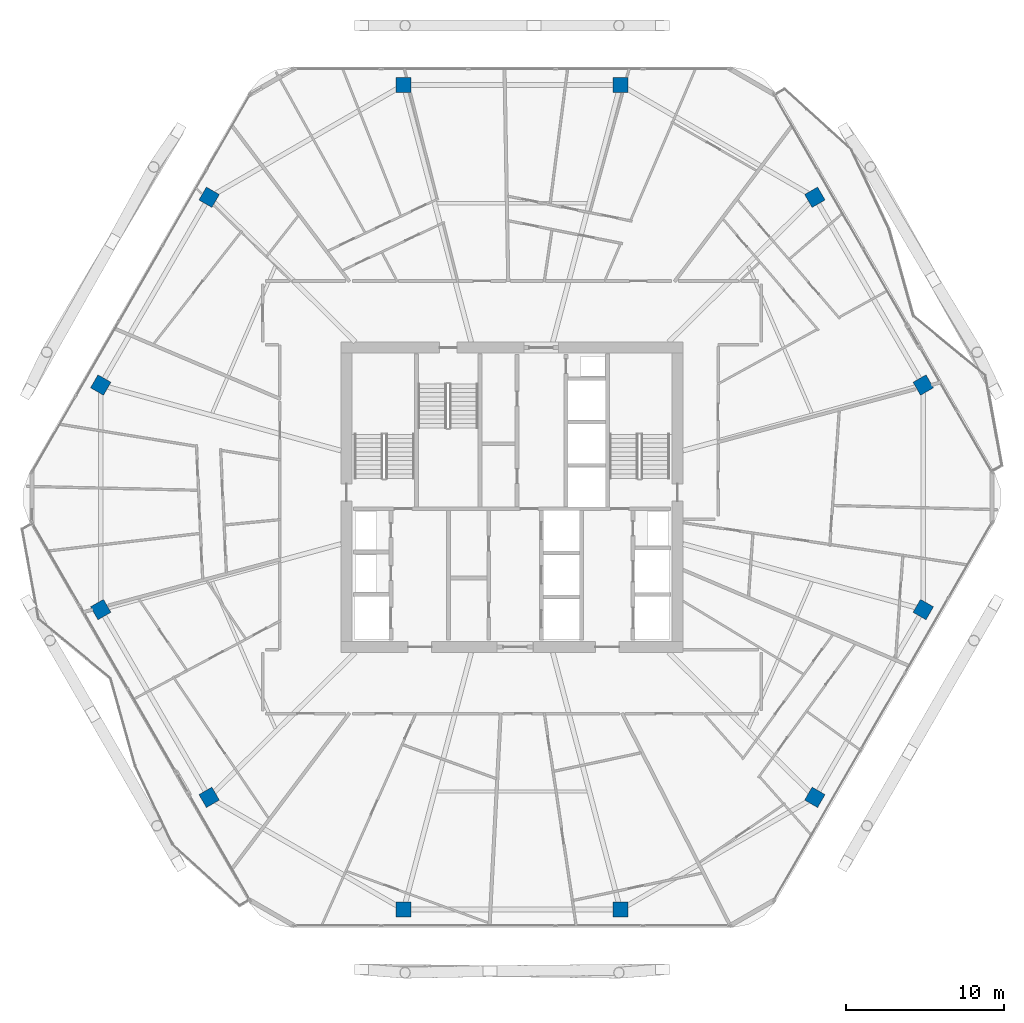
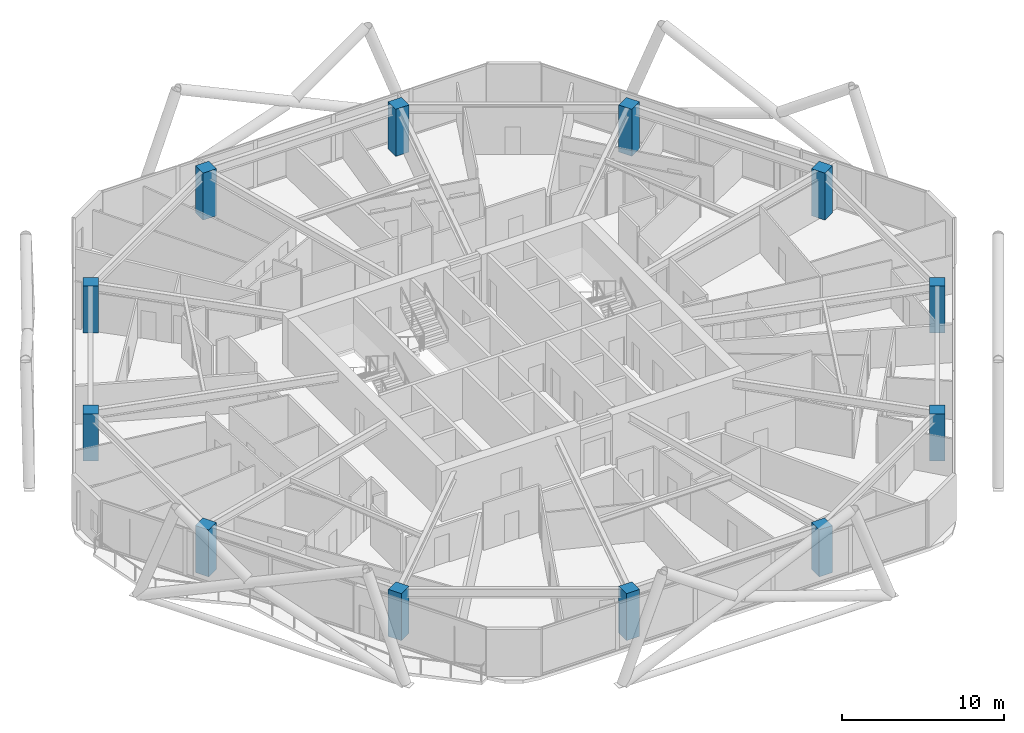
# One storey, part 1 of 29: 12 columns.
"""IFC4 building model written with IfcOpenShell, lengths in metres."""

from ifc_helpers import new_model, si_unit, direction, frame, origin, origin_2d, place, context, subcontext, project, spatial, rectangle, extrude, material, material_profile, profile_set, type_object, element, save


model = new_model("IFC4")

# Units and contexts
model_context = context("Model", 3, precision=1e-05, world=origin(), true_north=direction((0.0, 1.0)))
body_context = subcontext(model_context, "Body", "Model", "MODEL_VIEW")
ifc_project = project(units=[si_unit("LENGTHUNIT", "METRE"), si_unit("AREAUNIT", "SQUARE_METRE"), si_unit("VOLUMEUNIT", "CUBIC_METRE"), si_unit("PLANEANGLEUNIT", "RADIAN"), si_unit("MASSUNIT", "GRAM", prefix="KILO")], contexts=[model_context])

# Site, building, storey
site_placement = place(None, origin())
site = spatial("IfcSite", under=ifc_project, at=site_placement, CompositionType="ELEMENT")
building_placement = place(site_placement, origin())
building = spatial("IfcBuilding", under=site, at=building_placement, Name="Zuhravey Tower", CompositionType="ELEMENT")
storey_placement = place(building_placement, frame((0.0, 0.0, 192.199951171875)))
storey = spatial("IfcBuildingStorey", under=building, at=storey_placement, Name="L48", CompositionType="ELEMENT", Elevation=192.199951171875)

# Columns
ifc_material = material(Name="Concrete C50/60", Category="concrete")
ifc_material_profile = material_profile(ifc_material, rectangle(XDim=0.949951171875, YDim=0.949951171875, at=origin_2d()), Name="RC-950x950")
ifc_profile_set = profile_set([ifc_material_profile], Name="Concrete C50/60")
column_type = type_object("IfcColumnType", Name="Zone 2 Upper Column 950x950", PredefinedType="COLUMN", material=ifc_profile_set)
for number, where, z_axis, x_axis, name in (
    (1, (62.107666015625, 39.12646484375, 0.0), (0.0, 0.0, 1.0), (-0.5, 0.866025403784, 0.0), "L48 Perimeter Column PC01"),
    (2, (55.2255859375, 51.046630859375, 0.0), (0.0, 0.0, 1.0), (-0.5, 0.866025403784, 0.0), "L48 Perimeter Column PC02"),
    (3, (42.882080078125, 58.173095703125, 0.0), (0.0, 0.0, 1.0), (-1.0, 0.0, 0.0), "L48 Perimeter Column PC03"),
    (4, (29.117919921875, 58.173095703125, 0.0), (0.0, 0.0, 1.0), (-1.0, 0.0, 0.0), "L48 Perimeter Column PC04"),
    (5, (16.7744140625, 51.046630859375, 0.0), (0.0, 0.0, 1.0), (-0.5, -0.866025403784, 0.0), "L48 Perimeter Column PC05"),
    (6, (9.892333984375, 39.12646484375, 0.0), (0.0, 0.0, 1.0), (-0.5, -0.866025403784, 0.0), "L48 Perimeter Column PC06"),
    (7, (9.892333984375, 24.87353515625, 0.0), (0.0, 0.0, 1.0), (0.5, -0.866025403784, 0.0), "L48 Perimeter Column PC07"),
    (8, (16.7744140625, 12.953369140625, 0.0), (0.0, 0.0, 1.0), (0.5, -0.866025403784, 0.0), "L48 Perimeter Column PC08"),
    (9, (29.117919921875, 5.826904296875, 0.0), (0.0, 0.0, 1.0), (1.0, 0.0, 0.0), "L48 Perimeter Column PC09"),
    (10, (42.882080078125, 5.826904296875, 0.0), (0.0, 0.0, 1.0), (1.0, 0.0, 0.0), "L48 Perimeter Column PC10"),
    (11, (55.2255859375, 12.953369140625, 0.0), (0.0, 0.0, 1.0), (0.5, 0.866025403784, 0.0), "L48 Perimeter Column PC11"),
    (12, (62.107666015625, 24.87353515625, 0.0), (0.0, 0.0, 1.0), (0.5, 0.866025403784, 0.0), "L48 Perimeter Column PC12"),
):
    element("IfcColumn", number, at=place(storey_placement, frame(where, z_axis=z_axis, x_axis=x_axis)), inside=storey, type_object=column_type, Name=name, PredefinedType="COLUMN", context=body_context, shape_type="SweptSolid", body=[
        extrude(rectangle(XDim=0.949951171875, YDim=0.949951171875, at=origin_2d()), origin(), (0.0, 0.0, 1.0), 3.550048828125),
    ])

save(model, "model.ifc")
